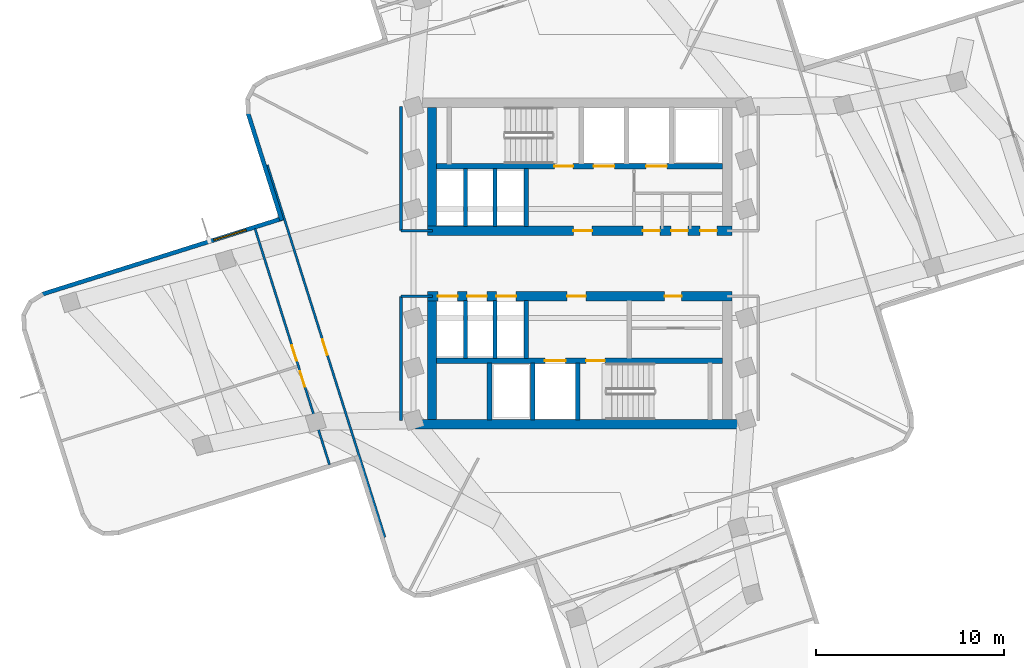
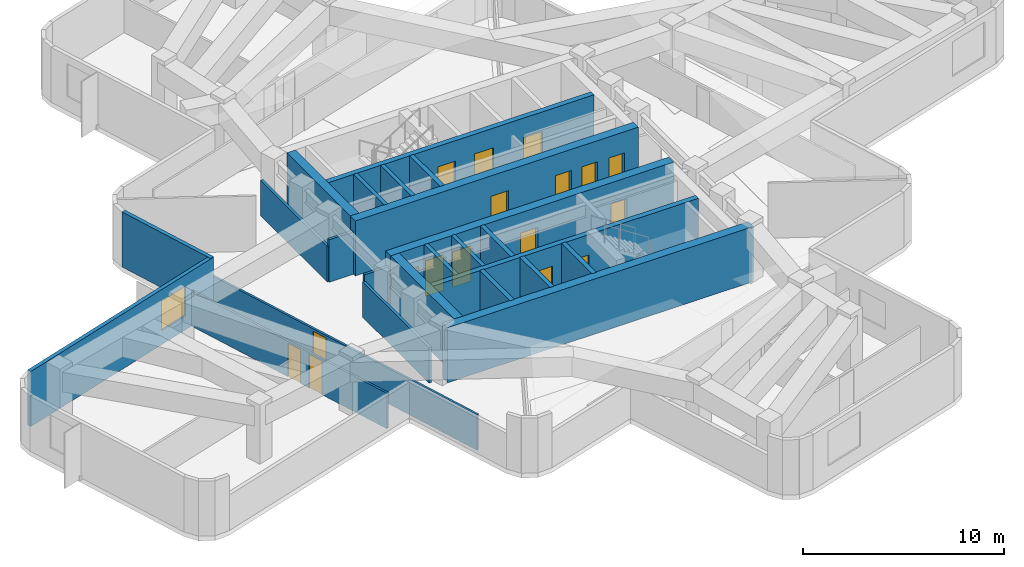
# One storey, part 3 of 8: 24 walls, 17 doors, 1 window, 18 openings.
"""IFC4 building model written with IfcOpenShell, lengths in metres."""

from ifc_helpers import new_model, si_unit, direction, frame, frame_2d, origin, place, context, subcontext, project, spatial, rectangle, extrude, material, layer, layer_set, type_object, element, fill, save


model = new_model("IFC4")

# Units and contexts
model_context = context("Model", 3, precision=1e-05, world=origin(), true_north=direction((0.0, 1.0)))
body_context = subcontext(model_context, "Body", "Model", "MODEL_VIEW")
ifc_project = project(units=[si_unit("LENGTHUNIT", "METRE"), si_unit("AREAUNIT", "SQUARE_METRE"), si_unit("VOLUMEUNIT", "CUBIC_METRE"), si_unit("PLANEANGLEUNIT", "RADIAN"), si_unit("MASSUNIT", "GRAM", prefix="KILO")], contexts=[model_context])

# Site, building, storey
site_placement = place(None, origin())
site = spatial("IfcSite", under=ifc_project, at=site_placement, CompositionType="ELEMENT")
building_placement = place(site_placement, origin())
building = spatial("IfcBuilding", under=site, at=building_placement, Name="Solmarez Civic Tower", CompositionType="ELEMENT")
storey_placement = place(building_placement, frame((0.0, 0.0, 152.280029296875)))
storey = spatial("IfcBuildingStorey", under=building, at=storey_placement, Name="L40", CompositionType="ELEMENT", Elevation=152.280029296875)

# Wall, openings, doors
ifc_material_1 = material(Name="Concrete C60/75", Category="concrete")
ifc_layer_1 = layer(ifc_material_1, 0.5)
ifc_layer_set_1 = layer_set([ifc_layer_1], Name="Concrete C60/75")
wall_type_1 = type_object("IfcWallType", Name="WALL-CORE-500", PredefinedType="SHEAR", material=ifc_layer_set_1)
wall_1_placement = place(storey_placement, frame((8.1201171875, 1.75, 0.0), z_axis=(0.0, 0.0, 1.0), x_axis=(-1.0, 0.0, 0.0)))
wall_1 = element("IfcWall", 1, at=wall_1_placement, inside=storey, type_object=wall_type_1, Name="L40 Split-Core Structural Wall NCW-S-L40", PredefinedType="SHEAR", context=body_context, shape_type="SweptSolid", body=[
    extrude(rectangle(XDim=16.240234375, YDim=0.5, at=frame_2d((8.1201171875, 0.0))), origin(), (0.0, 0.0, 1.0), 3.340087890625),
])
opening_1_placement = place(wall_1_placement, frame((7.449951171875, 0.0, 0.0)))
opening_1 = element("IfcOpeningElement", 2, at=opening_1_placement, cuts=wall_1, Name="Opening D-04", PredefinedType="OPENING", context=body_context, shape_type="SweptSolid", body=[
    extrude(rectangle(XDim=1.0, YDim=2.10009765625, at=frame_2d((0.5, 1.050048828125))), frame((0.0, 0.260009765625, 0.0), z_axis=(0.0, -1.0, 0.0), x_axis=(1.0, 0.0, 0.0)), (0.0, 0.0, 1.0), 0.52001953125),
])
opening_2_placement = place(wall_1_placement, frame((3.85009765625, 0.0, 0.0)))
opening_2 = element("IfcOpeningElement", 3, at=opening_2_placement, cuts=wall_1, Name="Opening D-09", PredefinedType="OPENING", context=body_context, shape_type="SweptSolid", body=[
    extrude(rectangle(XDim=0.89990234375, YDim=2.06005859375, at=frame_2d((0.449951171875, 1.030029296875))), frame((0.0, 0.260009765625, 0.0), z_axis=(0.0, -1.0, 0.0), x_axis=(1.0, 0.0, 0.0)), (0.0, 0.0, 1.0), 0.52001953125),
])
opening_3_placement = place(wall_1_placement, frame((2.35009765625, 0.0, 0.0)))
opening_3 = element("IfcOpeningElement", 4, at=opening_3_placement, cuts=wall_1, Name="Opening D-09", PredefinedType="OPENING", context=body_context, shape_type="SweptSolid", body=[
    extrude(rectangle(XDim=0.89990234375, YDim=2.06005859375, at=frame_2d((0.449951171875, 1.030029296875))), frame((0.0, 0.260009765625, 0.0), z_axis=(0.0, -1.0, 0.0), x_axis=(1.0, 0.0, 0.0)), (0.0, 0.0, 1.0), 0.52001953125),
])
opening_4_placement = place(wall_1_placement, frame((0.800048828125, 0.0, 0.0)))
opening_4 = element("IfcOpeningElement", 5, at=opening_4_placement, cuts=wall_1, Name="Opening D-09", PredefinedType="OPENING", context=body_context, shape_type="SweptSolid", body=[
    extrude(rectangle(XDim=0.89990234375, YDim=2.06005859375, at=frame_2d((0.449951171875, 1.030029296875))), frame((0.0, 0.260009765625, 0.0), z_axis=(0.0, -1.0, 0.0), x_axis=(1.0, 0.0, 0.0)), (0.0, 0.0, 1.0), 0.52001953125),
])
ifc_material_2 = material(Name="Steel-Faced Acoustic Fire Door", Category="steel")
door_type_1 = type_object("IfcDoorType", Name="DOOR-FD60-1000", OperationType="NOTDEFINED", PredefinedType="DOOR", material=ifc_material_2)
door_1_placement = place(opening_1_placement, origin())
door_1 = element("IfcDoor", 6, at=door_1_placement, inside=storey, type_object=door_type_1, Name="L40 North Firefighting Lobby Door", OperationType="SINGLE_SWING_LEFT", OverallHeight=2.10009765625, OverallWidth=1.0, PredefinedType="DOOR", context=body_context, shape_type="SweptSolid", body=[
    extrude(rectangle(XDim=1.0, YDim=2.10009765625, at=frame_2d((0.5, 1.050048828125))), frame((0.0, 0.02490234375, 0.0), z_axis=(0.0, -1.0, 0.0), x_axis=(1.0, 0.0, 0.0)), (0.0, 0.0, 1.0), 0.050048828125),
])
fill(opening_1, door_1)
ifc_material_3 = material(Name="Fire-Rated Service Core Door", Category="wood")
door_type_2 = type_object("IfcDoorType", Name="DOOR-FD60-900", OperationType="NOTDEFINED", PredefinedType="DOOR", material=ifc_material_3)
door_2_placement = place(opening_2_placement, origin())
door_2 = element("IfcDoor", 7, at=door_2_placement, inside=storey, type_object=door_type_2, Name="L40 Core WC Door", OperationType="SINGLE_SWING_RIGHT", OverallHeight=2.06005859375, OverallWidth=0.89990234375, PredefinedType="DOOR", context=body_context, shape_type="SweptSolid", body=[
    extrude(rectangle(XDim=0.89990234375, YDim=2.06005859375, at=frame_2d((0.449951171875, 1.030029296875))), frame((0.0, 0.02490234375, 0.0), z_axis=(0.0, -1.0, 0.0), x_axis=(1.0, 0.0, 0.0)), (0.0, 0.0, 1.0), 0.050048828125),
])
fill(opening_2, door_2)
door_3_placement = place(opening_3_placement, origin())
door_3 = element("IfcDoor", 8, at=door_3_placement, inside=storey, type_object=door_type_2, Name="L40 Core CL Door", OperationType="SINGLE_SWING_LEFT", OverallHeight=2.06005859375, OverallWidth=0.89990234375, PredefinedType="DOOR", context=body_context, shape_type="SweptSolid", body=[
    extrude(rectangle(XDim=0.89990234375, YDim=2.06005859375, at=frame_2d((0.449951171875, 1.030029296875))), frame((0.0, 0.02490234375, 0.0), z_axis=(0.0, -1.0, 0.0), x_axis=(1.0, 0.0, 0.0)), (0.0, 0.0, 1.0), 0.050048828125),
])
fill(opening_3, door_3)
door_4_placement = place(opening_4_placement, origin())
door_4 = element("IfcDoor", 9, at=door_4_placement, inside=storey, type_object=door_type_2, Name="L40 Core IT Door", OperationType="SINGLE_SWING_LEFT", OverallHeight=2.06005859375, OverallWidth=0.89990234375, PredefinedType="DOOR", context=body_context, shape_type="SweptSolid", body=[
    extrude(rectangle(XDim=0.89990234375, YDim=2.06005859375, at=frame_2d((0.449951171875, 1.030029296875))), frame((0.0, 0.02490234375, 0.0), z_axis=(0.0, -1.0, 0.0), x_axis=(1.0, 0.0, 0.0)), (0.0, 0.0, 1.0), 0.050048828125),
])
fill(opening_4, door_4)

# Walls
wall_2_placement = place(storey_placement, frame((-7.8701171875, 2.0, 0.0), z_axis=(0.0, 0.0, 1.0), x_axis=(0.0, 1.0, 0.0)))
element("IfcWall", 10, at=wall_2_placement, inside=storey, type_object=wall_type_1, Name="L40 Split-Core Structural Wall NCW-W-L40", PredefinedType="SHEAR", context=body_context, shape_type="SweptSolid", body=[
    extrude(rectangle(XDim=6.31005859375, YDim=0.5, at=frame_2d((3.155029296875, 0.0))), origin(), (0.0, 0.0, 1.0), 3.340087890625),
])
wall_3_placement = place(storey_placement, frame((8.780029296875, -8.56005859375, 0.0), z_axis=(0.0, 0.0, 1.0), x_axis=(-1.0, 0.0, 0.0)))
element("IfcWall", 11, at=wall_3_placement, inside=storey, type_object=wall_type_1, Name="L40 Split-Core Structural Wall SCW-S-L40", PredefinedType="SHEAR", context=body_context, shape_type="SweptSolid", body=[
    extrude(rectangle(XDim=17.56005859375, YDim=0.5, at=frame_2d((8.780029296875, 0.0))), origin(), (0.0, 0.0, 1.0), 3.340087890625),
])

# Wall, openings, doors
wall_4_placement = place(storey_placement, frame((-8.1201171875, -1.75, 0.0), z_axis=(0.0, 0.0, 1.0), x_axis=(1.0, 0.0, 0.0)))
wall_4 = element("IfcWall", 12, at=wall_4_placement, inside=storey, type_object=wall_type_1, Name="L40 Split-Core Structural Wall SCW-N-L40", PredefinedType="SHEAR", context=body_context, shape_type="SweptSolid", body=[
    extrude(rectangle(XDim=16.240234375, YDim=0.5, at=frame_2d((8.1201171875, 0.0))), origin(), (0.0, 0.0, 1.0), 3.340087890625),
])
opening_5_placement = place(wall_4_placement, frame((7.449951171875, 0.0, 0.0)))
opening_5 = element("IfcOpeningElement", 13, at=opening_5_placement, cuts=wall_4, Name="Opening D-04", PredefinedType="OPENING", context=body_context, shape_type="SweptSolid", body=[
    extrude(rectangle(XDim=1.0, YDim=2.10009765625, at=frame_2d((0.5, 1.050048828125))), frame((0.0, 0.260009765625, 0.0), z_axis=(0.0, -1.0, 0.0), x_axis=(1.0, 0.0, 0.0)), (0.0, 0.0, 1.0), 0.52001953125),
])
opening_6_placement = place(wall_4_placement, frame((12.64990234375, 0.0, 0.0)))
opening_6 = element("IfcOpeningElement", 14, at=opening_6_placement, cuts=wall_4, Name="Opening D-09", PredefinedType="OPENING", context=body_context, shape_type="SweptSolid", body=[
    extrude(rectangle(XDim=0.89990234375, YDim=2.06005859375, at=frame_2d((0.449951171875, 1.030029296875))), frame((0.0, 0.260009765625, 0.0), z_axis=(0.0, -1.0, 0.0), x_axis=(1.0, 0.0, 0.0)), (0.0, 0.0, 1.0), 0.52001953125),
])
opening_7_placement = place(wall_4_placement, frame((0.56494140625, 0.0, 0.0)))
opening_7 = element("IfcOpeningElement", 15, at=opening_7_placement, cuts=wall_4, Name="Opening LD-01", PredefinedType="OPENING", context=body_context, shape_type="SweptSolid", body=[
    extrude(rectangle(XDim=1.050048828125, YDim=2.14990234375, at=frame_2d((0.52490234375, 1.074951171875))), frame((0.0, 0.260009765625, 0.0), z_axis=(0.0, -1.0, 0.0), x_axis=(1.0, 0.0, 0.0)), (0.0, 0.0, 1.0), 0.52001953125),
])
opening_8_placement = place(wall_4_placement, frame((2.125, 0.0, 0.0)))
opening_8 = element("IfcOpeningElement", 16, at=opening_8_placement, cuts=wall_4, Name="Opening LD-01", PredefinedType="OPENING", context=body_context, shape_type="SweptSolid", body=[
    extrude(rectangle(XDim=1.050048828125, YDim=2.14990234375, at=frame_2d((0.52490234375, 1.074951171875))), frame((0.0, 0.260009765625, 0.0), z_axis=(0.0, -1.0, 0.0), x_axis=(1.0, 0.0, 0.0)), (0.0, 0.0, 1.0), 0.52001953125),
])
opening_9_placement = place(wall_4_placement, frame((3.68505859375, 0.0, 0.0)))
opening_9 = element("IfcOpeningElement", 17, at=opening_9_placement, cuts=wall_4, Name="Opening LD-01", PredefinedType="OPENING", context=body_context, shape_type="SweptSolid", body=[
    extrude(rectangle(XDim=1.050048828125, YDim=2.14990234375, at=frame_2d((0.52490234375, 1.074951171875))), frame((0.0, 0.260009765625, 0.0), z_axis=(0.0, -1.0, 0.0), x_axis=(1.0, 0.0, 0.0)), (0.0, 0.0, 1.0), 0.52001953125),
])
door_5_placement = place(opening_5_placement, origin())
door_5 = element("IfcDoor", 18, at=door_5_placement, inside=storey, type_object=door_type_1, Name="L40 South Firefighting Lobby Door", OperationType="SINGLE_SWING_RIGHT", OverallHeight=2.10009765625, OverallWidth=1.0, PredefinedType="DOOR", context=body_context, shape_type="SweptSolid", body=[
    extrude(rectangle(XDim=1.0, YDim=2.10009765625, at=frame_2d((0.5, 1.050048828125))), frame((0.0, 0.02490234375, 0.0), z_axis=(0.0, -1.0, 0.0), x_axis=(1.0, 0.0, 0.0)), (0.0, 0.0, 1.0), 0.050048828125),
])
fill(opening_5, door_5)
door_6_placement = place(opening_6_placement, origin())
door_6 = element("IfcDoor", 19, at=door_6_placement, inside=storey, type_object=door_type_2, Name="L40 Freed Hoistway Mailroom Door", OperationType="SINGLE_SWING_LEFT", OverallHeight=2.06005859375, OverallWidth=0.89990234375, PredefinedType="DOOR", context=body_context, shape_type="SweptSolid", body=[
    extrude(rectangle(XDim=0.89990234375, YDim=2.06005859375, at=frame_2d((0.449951171875, 1.030029296875))), frame((0.0, 0.02490234375, 0.0), z_axis=(0.0, -1.0, 0.0), x_axis=(1.0, 0.0, 0.0)), (0.0, 0.0, 1.0), 0.050048828125),
])
fill(opening_6, door_6)
ifc_material_4 = material(Name="Bronze Passenger Lift Landing Sliding Door", Category="aluminium")
door_type_3 = type_object("IfcDoorType", Name="DOOR-LD-PAX-1050", OperationType="DOUBLE_DOOR_SLIDING", PredefinedType="DOOR", material=ifc_material_4)
door_7_placement = place(opening_7_placement, origin())
door_7 = element("IfcDoor", 20, at=door_7_placement, inside=storey, type_object=door_type_3, Name="L40 Mid-Rise Lift Landing Door PL-M1", OperationType="DOUBLE_DOOR_SLIDING", OverallHeight=2.14990234375, OverallWidth=1.050048828125, PredefinedType="DOOR", context=body_context, shape_type="SweptSolid", body=[
    extrude(rectangle(XDim=1.050048828125, YDim=2.14990234375, at=frame_2d((0.52490234375, 1.074951171875))), frame((0.0, 0.02490234375, 0.0), z_axis=(0.0, -1.0, 0.0), x_axis=(1.0, 0.0, 0.0)), (0.0, 0.0, 1.0), 0.050048828125),
])
fill(opening_7, door_7)
door_8_placement = place(opening_8_placement, origin())
door_8 = element("IfcDoor", 21, at=door_8_placement, inside=storey, type_object=door_type_3, Name="L40 Mid-Rise Lift Landing Door PL-M2", OperationType="DOUBLE_DOOR_SLIDING", OverallHeight=2.14990234375, OverallWidth=1.050048828125, PredefinedType="DOOR", context=body_context, shape_type="SweptSolid", body=[
    extrude(rectangle(XDim=1.050048828125, YDim=2.14990234375, at=frame_2d((0.52490234375, 1.074951171875))), frame((0.0, 0.02490234375, 0.0), z_axis=(0.0, -1.0, 0.0), x_axis=(1.0, 0.0, 0.0)), (0.0, 0.0, 1.0), 0.050048828125),
])
fill(opening_8, door_8)
door_9_placement = place(opening_9_placement, origin())
door_9 = element("IfcDoor", 22, at=door_9_placement, inside=storey, type_object=door_type_3, Name="L40 Mid-Rise Lift Landing Door PL-M3", OperationType="DOUBLE_DOOR_SLIDING", OverallHeight=2.14990234375, OverallWidth=1.050048828125, PredefinedType="DOOR", context=body_context, shape_type="SweptSolid", body=[
    extrude(rectangle(XDim=1.050048828125, YDim=2.14990234375, at=frame_2d((0.52490234375, 1.074951171875))), frame((0.0, 0.02490234375, 0.0), z_axis=(0.0, -1.0, 0.0), x_axis=(1.0, 0.0, 0.0)), (0.0, 0.0, 1.0), 0.050048828125),
])
fill(opening_9, door_9)

# Wall
wall_5_placement = place(storey_placement, frame((-7.8701171875, -8.31005859375, 0.0), z_axis=(0.0, 0.0, 1.0), x_axis=(0.0, 1.0, 0.0)))
element("IfcWall", 23, at=wall_5_placement, inside=storey, type_object=wall_type_1, Name="L40 Split-Core Structural Wall SCW-W-L40", PredefinedType="SHEAR", context=body_context, shape_type="SweptSolid", body=[
    extrude(rectangle(XDim=6.31005859375, YDim=0.5, at=frame_2d((3.155029296875, 0.0))), origin(), (0.0, 0.0, 1.0), 3.340087890625),
])

# Wall, opening, window
ifc_material_5 = material(Name="Precast concrete C40/50", Category="concrete")
ifc_layer_2 = layer(ifc_material_5, 0.219970703125)
ifc_layer_set_2 = layer_set([ifc_layer_2], Name="Precast concrete C40/50")
wall_type_2 = type_object("IfcWallType", Name="WALL-EXT-220", PredefinedType="SOLIDWALL", material=ifc_layer_set_2)
wall_6_placement = place(storey_placement, frame((-28.64599609375, -1.639892578125, 0.0), z_axis=(0.0, 0.0, 1.0), x_axis=(0.953626521982, 0.300992452685, 0.0)))
wall_6 = element("IfcWall", 24, at=wall_6_placement, inside=storey, type_object=wall_type_2, Name="L40 Exterior Precast Wall 10", PredefinedType="SOLIDWALL", context=body_context, shape_type="SweptSolid", body=[
    extrude(rectangle(XDim=13.4580078125, YDim=0.219970703125, at=frame_2d((6.72900390625, 0.0))), origin(), (0.0, 0.0, 1.0), 3.340087890625),
])
opening_10_placement = place(wall_6_placement, frame((9.596923828125, 0.0, 0.85009765625)))
opening_10 = element("IfcOpeningElement", 25, at=opening_10_placement, cuts=wall_6, Name="Opening W-08", PredefinedType="OPENING", context=body_context, shape_type="SweptSolid", body=[
    extrude(rectangle(XDim=1.800048828125, YDim=1.800048828125, at=frame_2d((0.89990234375, 0.89990234375))), frame((0.0, 0.119873046875, 0.0), z_axis=(0.0, -1.0, 0.0), x_axis=(1.0, 0.0, 0.0)), (0.0, 0.0, 1.0), 0.239990234375),
])
ifc_material_6 = material(Name="Solar Control Bronze-Tinted Insulating Glass", Category="glass")
window_type = type_object("IfcWindowType", Name="WIN-1800X1800", PartitioningType="SINGLE_PANEL", PredefinedType="WINDOW", material=ifc_material_6)
window_placement = place(opening_10_placement, origin())
window = element("IfcWindow", 26, at=window_placement, inside=storey, type_object=window_type, Name="L40 Exterior Facade Window 10", OverallHeight=1.800048828125, OverallWidth=1.800048828125, PartitioningType="SINGLE_PANEL", PredefinedType="WINDOW", context=body_context, shape_type="SweptSolid", body=[
    extrude(rectangle(XDim=1.800048828125, YDim=1.800048828125, at=frame_2d((0.89990234375, 0.89990234375))), frame((0.0, 0.030029296875, 0.0), z_axis=(0.0, -1.0, 0.0), x_axis=(1.0, 0.0, 0.0)), (0.0, 0.0, 1.0), 0.06005859375),
])
fill(opening_10, window)

# Walls
wall_7_placement = place(storey_placement, frame((-15.8701171875, 2.301025390625, 0.0), z_axis=(0.0, 0.0, 1.0), x_axis=(-0.300910882413, 0.953652264112, 0.0)))
element("IfcWall", 27, at=wall_7_placement, inside=storey, type_object=wall_type_2, Name="L40 Exterior Precast Wall 13", PredefinedType="SOLIDWALL", context=body_context, shape_type="SweptSolid", body=[
    extrude(rectangle(XDim=5.988525390625, YDim=0.219970703125, at=frame_2d((2.994140625, 0.0))), origin(), (0.0, 0.0, 1.0), 3.340087890625),
])
ifc_material_7 = material(Name="Gypsum Board Acoustic Steel-Stud Partition", Category="steel")
ifc_layer_3 = layer(ifc_material_7, 0.14990234375)
ifc_layer_set_3 = layer_set([ifc_layer_3], Name="Gypsum Board Acoustic Steel-Stud Partition")
wall_type_3 = type_object("IfcWallType", Name="WALL-INT-FIRE-150", PredefinedType="PARTITIONING", material=ifc_layer_set_3)
wall_8_placement = place(storey_placement, frame((-9.52001953125, 1.75, 0.0), z_axis=(0.0, 0.0, 1.0), x_axis=(0.0, 1.0, 0.0)))
element("IfcWall", 28, at=wall_8_placement, inside=storey, type_object=wall_type_3, Name="L40 Interior Partition CHW-L40-WN1", PredefinedType="PARTITIONING", context=body_context, shape_type="SweptSolid", body=[
    extrude(rectangle(XDim=6.6298828125, YDim=0.14990234375, at=frame_2d((3.31494140625, 0.0))), origin(), (0.0, 0.0, 1.0), 2.15185546875),
])
wall_9_placement = place(storey_placement, frame((-7.85009765625, 1.75, 0.0), z_axis=(0.0, 0.0, 1.0), x_axis=(-1.0, 0.0, 0.0)))
element("IfcWall", 29, at=wall_9_placement, inside=storey, type_object=wall_type_3, Name="L40 Interior Partition CHW-L40-WN3", PredefinedType="PARTITIONING", context=body_context, shape_type="SweptSolid", body=[
    extrude(rectangle(XDim=1.669921875, YDim=0.14990234375, at=frame_2d((0.8349609375, 0.0))), origin(), (0.0, 0.0, 1.0), 2.570068359375),
])
wall_10_placement = place(storey_placement, frame((-9.52001953125, -8.3798828125, 0.0), z_axis=(0.0, 0.0, 1.0), x_axis=(0.0, 1.0, 0.0)))
element("IfcWall", 30, at=wall_10_placement, inside=storey, type_object=wall_type_3, Name="L40 Interior Partition CHW-L40-WS1", PredefinedType="PARTITIONING", context=body_context, shape_type="SweptSolid", body=[
    extrude(rectangle(XDim=6.6298828125, YDim=0.14990234375, at=frame_2d((3.31494140625, 0.0))), origin(), (0.0, 0.0, 1.0), 2.15185546875),
])
wall_11_placement = place(storey_placement, frame((-7.85009765625, -1.75, 0.0), z_axis=(0.0, 0.0, 1.0), x_axis=(-1.0, 0.0, 0.0)))
element("IfcWall", 31, at=wall_11_placement, inside=storey, type_object=wall_type_3, Name="L40 Interior Partition CHW-L40-WS3", PredefinedType="PARTITIONING", context=body_context, shape_type="SweptSolid", body=[
    extrude(rectangle(XDim=1.669921875, YDim=0.14990234375, at=frame_2d((0.8349609375, 0.0))), origin(), (0.0, 0.0, 1.0), 2.570068359375),
])

# Wall, opening, door
ifc_layer_4 = layer(ifc_material_7, 0.1201171875)
ifc_layer_set_4 = layer_set([ifc_layer_4], Name="Gypsum Board Acoustic Steel-Stud Partition")
wall_type_4 = type_object("IfcWallType", Name="WALL-INT-PART-120", PredefinedType="PARTITIONING", material=ifc_layer_set_4)
wall_12_placement = place(storey_placement, frame((-10.37890625, -14.591064453125, 0.0), z_axis=(0.0, 0.0, 1.0), x_axis=(-0.301070726534, 0.95360181293, 0.0)))
wall_12 = element("IfcWall", 32, at=wall_12_placement, inside=storey, type_object=wall_type_4, Name="L40 Interior Partition PT-L40-W-ENT", PredefinedType="PARTITIONING", context=body_context, shape_type="SweptSolid", body=[
    extrude(rectangle(XDim=20.8095703125, YDim=0.1201171875, at=frame_2d((10.40478515625, 0.0))), origin(), (0.0, 0.0, 1.0), 2.15185546875),
])
opening_11_placement = place(wall_12_placement, frame((10.18896484375, 0.0, 0.0)))
opening_11 = element("IfcOpeningElement", 33, at=opening_11_placement, cuts=wall_12, Name="Opening D-19", PredefinedType="OPENING", context=body_context, shape_type="SweptSolid", body=[
    extrude(rectangle(XDim=0.860107421875, YDim=2.0, at=frame_2d((0.43017578125, 1.0))), frame((0.0, 0.070068359375, 0.0), z_axis=(0.0, -1.0, 0.0), x_axis=(1.0, 0.0, 0.0)), (0.0, 0.0, 1.0), 0.14013671875),
])
ifc_material_8 = material(Name="Timber Low-Headroom Storage and Pantry Door", Category="wood")
door_type_4 = type_object("IfcDoorType", Name="DOOR-INT-850-2000", OperationType="NOTDEFINED", PredefinedType="DOOR", material=ifc_material_8)
door_10_placement = place(opening_11_placement, origin())
door_10 = element("IfcDoor", 34, at=door_10_placement, inside=storey, type_object=door_type_4, Name="L40 Delegates Sitting Lounge First West Door", OperationType="SINGLE_SWING_LEFT", OverallHeight=2.0, OverallWidth=0.860107421875, PredefinedType="DOOR", context=body_context, shape_type="SweptSolid", body=[
    extrude(rectangle(XDim=0.860107421875, YDim=2.0, at=frame_2d((0.43017578125, 1.0))), frame((0.0, 0.02490234375, 0.0), z_axis=(0.0, -1.0, 0.0), x_axis=(1.0, 0.0, 0.0)), (0.0, 0.0, 1.0), 0.050048828125),
])
fill(opening_11, door_10)

# Wall, openings, doors
wall_13_placement = place(storey_placement, frame((-17.302978515625, 1.863037109375, 0.0), z_axis=(0.0, 0.0, 1.0), x_axis=(0.300972919735, -0.953632686933, 0.0)))
wall_13 = element("IfcWall", 35, at=wall_13_placement, inside=storey, type_object=wall_type_4, Name="L40 Interior Partition PT-L40-W-SCUT", PredefinedType="PARTITIONING", context=body_context, shape_type="SweptSolid", body=[
    extrude(rectangle(XDim=13.2001953125, YDim=0.1201171875, at=frame_2d((6.60009765625, 0.0))), origin(), (0.0, 0.0, 1.0), 2.15185546875),
])
opening_12_placement = place(wall_13_placement, frame((6.533935546875, 0.0, 0.0)))
opening_12 = element("IfcOpeningElement", 36, at=opening_12_placement, cuts=wall_13, Name="Opening D-14", PredefinedType="OPENING", context=body_context, shape_type="SweptSolid", body=[
    extrude(rectangle(XDim=0.860107421875, YDim=2.0400390625, at=frame_2d((0.43017578125, 1.02001953125))), frame((0.0, 0.070068359375, 0.0), z_axis=(0.0, -1.0, 0.0), x_axis=(1.0, 0.0, 0.0)), (0.0, 0.0, 1.0), 0.14013671875),
])
opening_13_placement = place(wall_13_placement, frame((7.97509765625, 0.0, 0.0)))
opening_13 = element("IfcOpeningElement", 37, at=opening_13_placement, cuts=wall_13, Name="Opening D-14", PredefinedType="OPENING", context=body_context, shape_type="SweptSolid", body=[
    extrude(rectangle(XDim=0.860107421875, YDim=2.0400390625, at=frame_2d((0.43017578125, 1.02001953125))), frame((0.0, 0.070068359375, 0.0), z_axis=(0.0, -1.0, 0.0), x_axis=(1.0, 0.0, 0.0)), (0.0, 0.0, 1.0), 0.14013671875),
])
ifc_material_9 = material(Name="Timber Storage and Pantry Door", Category="wood")
door_type_5 = type_object("IfcDoorType", Name="DOOR-INT-850", OperationType="NOTDEFINED", PredefinedType="DOOR", material=ifc_material_9)
door_11_placement = place(opening_12_placement, origin())
door_11 = element("IfcDoor", 38, at=door_11_placement, inside=storey, type_object=door_type_5, Name="L40 Catering Servery Third West Door", OperationType="SINGLE_SWING_RIGHT", OverallHeight=2.0400390625, OverallWidth=0.860107421875, PredefinedType="DOOR", context=body_context, shape_type="SweptSolid", body=[
    extrude(rectangle(XDim=0.860107421875, YDim=2.0400390625, at=frame_2d((0.43017578125, 1.02001953125))), frame((0.0, 0.02490234375, 0.0), z_axis=(0.0, -1.0, 0.0), x_axis=(1.0, 0.0, 0.0)), (0.0, 0.0, 1.0), 0.050048828125),
])
fill(opening_12, door_11)
door_12_placement = place(opening_13_placement, origin())
door_12 = element("IfcDoor", 39, at=door_12_placement, inside=storey, type_object=door_type_5, Name="L40 Staff Dining Canteen Second West Door", OperationType="SINGLE_SWING_LEFT", OverallHeight=2.0400390625, OverallWidth=0.860107421875, PredefinedType="DOOR", context=body_context, shape_type="SweptSolid", body=[
    extrude(rectangle(XDim=0.860107421875, YDim=2.0400390625, at=frame_2d((0.43017578125, 1.02001953125))), frame((0.0, 0.02490234375, 0.0), z_axis=(0.0, -1.0, 0.0), x_axis=(1.0, 0.0, 0.0)), (0.0, 0.0, 1.0), 0.050048828125),
])
fill(opening_13, door_12)

ifc_material_10 = material(Name="Concrete C50/60", Category="concrete")
ifc_layer_5 = layer(ifc_material_10, 0.300048828125)
ifc_layer_set_5 = layer_set([ifc_layer_5], Name="Concrete C50/60")
wall_type_5 = type_object("IfcWallType", Name="WALL-STR-300", PredefinedType="SOLIDWALL", material=ifc_layer_set_5)
wall_14_placement = place(storey_placement, frame((7.6201171875, 5.179931640625, 0.0), z_axis=(0.0, 0.0, 1.0), x_axis=(-1.0, 0.0, 0.0)))
wall_14 = element("IfcWall", 40, at=wall_14_placement, inside=storey, type_object=wall_type_5, Name="L40 Split-Core Structural Wall NCW-M-L40", PredefinedType="SOLIDWALL", context=body_context, shape_type="SweptSolid", body=[
    extrude(rectangle(XDim=15.240234375, YDim=0.300048828125, at=frame_2d((7.6201171875, 0.0))), origin(), (0.0, 0.0, 1.0), 3.340087890625),
])
opening_14_placement = place(wall_14_placement, frame((5.77001953125, 0.0, 0.0)))
opening_14 = element("IfcOpeningElement", 41, at=opening_14_placement, cuts=wall_14, Name="Opening LD-02", PredefinedType="OPENING", context=body_context, shape_type="SweptSolid", body=[
    extrude(rectangle(XDim=1.10009765625, YDim=2.14990234375, at=frame_2d((0.550048828125, 1.074951171875))), frame((0.0, 0.159912109375, 0.0), z_axis=(0.0, -1.0, 0.0), x_axis=(1.0, 0.0, 0.0)), (0.0, 0.0, 1.0), 0.320068359375),
])
opening_15_placement = place(wall_14_placement, frame((2.969970703125, 0.0, 0.0)))
opening_15 = element("IfcOpeningElement", 42, at=opening_15_placement, cuts=wall_14, Name="Opening LD-03", PredefinedType="OPENING", context=body_context, shape_type="SweptSolid", body=[
    extrude(rectangle(XDim=1.10009765625, YDim=2.14990234375, at=frame_2d((0.550048828125, 1.074951171875))), frame((0.0, 0.159912109375, 0.0), z_axis=(0.0, -1.0, 0.0), x_axis=(1.0, 0.0, 0.0)), (0.0, 0.0, 1.0), 0.320068359375),
])
opening_16_placement = place(wall_14_placement, frame((7.969970703125, 0.0, 0.0)))
opening_16 = element("IfcOpeningElement", 43, at=opening_16_placement, cuts=wall_14, Name="Opening D-05", PredefinedType="OPENING", context=body_context, shape_type="SweptSolid", body=[
    extrude(rectangle(XDim=1.0, YDim=2.10009765625, at=frame_2d((0.5, 1.050048828125))), frame((0.0, 0.159912109375, 0.0), z_axis=(0.0, -1.0, 0.0), x_axis=(1.0, 0.0, 0.0)), (0.0, 0.0, 1.0), 0.320068359375),
])
ifc_material_11 = material(Name="Fire-Rated Stairwell Exit Door", Category="wood")
door_type_6 = type_object("IfcDoorType", Name="DOOR-FD90-1000", OperationType="NOTDEFINED", PredefinedType="DOOR", material=ifc_material_11)
door_13_placement = place(opening_16_placement, origin())
door_13 = element("IfcDoor", 44, at=door_13_placement, inside=storey, type_object=door_type_6, Name="L40 North Exit Stair Door ST-1", OperationType="SINGLE_SWING_LEFT", OverallHeight=2.10009765625, OverallWidth=1.0, PredefinedType="DOOR", context=body_context, shape_type="SweptSolid", body=[
    extrude(rectangle(XDim=1.0, YDim=2.10009765625, at=frame_2d((0.5, 1.050048828125))), frame((0.0, 0.02490234375, 0.0), z_axis=(0.0, -1.0, 0.0), x_axis=(1.0, 0.0, 0.0)), (0.0, 0.0, 1.0), 0.050048828125),
])
fill(opening_16, door_13)
ifc_material_12 = material(Name="Stainless Firefighting Lift Landing Sliding Door", Category="aluminium")
door_type_7 = type_object("IfcDoorType", Name="DOOR-LD-FF-1100", OperationType="DOUBLE_DOOR_SLIDING", PredefinedType="DOOR", material=ifc_material_12)
door_14_placement = place(opening_14_placement, origin())
door_14 = element("IfcDoor", 45, at=door_14_placement, inside=storey, type_object=door_type_7, Name="L40 Firefighting Lift Landing Door FFL-1", OperationType="DOUBLE_DOOR_SLIDING", OverallHeight=2.14990234375, OverallWidth=1.10009765625, PredefinedType="DOOR", context=body_context, shape_type="SweptSolid", body=[
    extrude(rectangle(XDim=1.10009765625, YDim=2.14990234375, at=frame_2d((0.550048828125, 1.074951171875))), frame((0.0, 0.02490234375, 0.0), z_axis=(0.0, -1.0, 0.0), x_axis=(1.0, 0.0, 0.0)), (0.0, 0.0, 1.0), 0.050048828125),
])
fill(opening_14, door_14)
ifc_material_13 = material(Name="Stainless Stretcher Lift Landing Sliding Door", Category="aluminium")
door_type_8 = type_object("IfcDoorType", Name="DOOR-LD-SV-1100", OperationType="DOUBLE_DOOR_SLIDING", PredefinedType="DOOR", material=ifc_material_13)
door_15_placement = place(opening_15_placement, origin())
door_15 = element("IfcDoor", 46, at=door_15_placement, inside=storey, type_object=door_type_8, Name="L40 Service Stretcher Lift Landing Door SVL-1", OperationType="DOUBLE_DOOR_SLIDING", OverallHeight=2.14990234375, OverallWidth=1.10009765625, PredefinedType="DOOR", context=body_context, shape_type="SweptSolid", body=[
    extrude(rectangle(XDim=1.10009765625, YDim=2.14990234375, at=frame_2d((0.550048828125, 1.074951171875))), frame((0.0, 0.02490234375, 0.0), z_axis=(0.0, -1.0, 0.0), x_axis=(1.0, 0.0, 0.0)), (0.0, 0.0, 1.0), 0.050048828125),
])
fill(opening_15, door_15)

wall_15_placement = place(storey_placement, frame((-7.6201171875, -5.179931640625, 0.0), z_axis=(0.0, 0.0, 1.0), x_axis=(1.0, 0.0, 0.0)))
wall_15 = element("IfcWall", 47, at=wall_15_placement, inside=storey, type_object=wall_type_5, Name="L40 Split-Core Structural Wall SCW-M-L40", PredefinedType="SOLIDWALL", context=body_context, shape_type="SweptSolid", body=[
    extrude(rectangle(XDim=15.240234375, YDim=0.300048828125, at=frame_2d((7.6201171875, 0.0))), origin(), (0.0, 0.0, 1.0), 3.340087890625),
])
opening_17_placement = place(wall_15_placement, frame((5.77001953125, 0.0, 0.0)))
opening_17 = element("IfcOpeningElement", 48, at=opening_17_placement, cuts=wall_15, Name="Opening LD-02", PredefinedType="OPENING", context=body_context, shape_type="SweptSolid", body=[
    extrude(rectangle(XDim=1.10009765625, YDim=2.14990234375, at=frame_2d((0.550048828125, 1.074951171875))), frame((0.0, 0.159912109375, 0.0), z_axis=(0.0, -1.0, 0.0), x_axis=(1.0, 0.0, 0.0)), (0.0, 0.0, 1.0), 0.320068359375),
])
opening_18_placement = place(wall_15_placement, frame((7.969970703125, 0.0, 0.0)))
opening_18 = element("IfcOpeningElement", 49, at=opening_18_placement, cuts=wall_15, Name="Opening D-05", PredefinedType="OPENING", context=body_context, shape_type="SweptSolid", body=[
    extrude(rectangle(XDim=1.0, YDim=2.10009765625, at=frame_2d((0.5, 1.050048828125))), frame((0.0, 0.159912109375, 0.0), z_axis=(0.0, -1.0, 0.0), x_axis=(1.0, 0.0, 0.0)), (0.0, 0.0, 1.0), 0.320068359375),
])
door_16_placement = place(opening_18_placement, origin())
door_16 = element("IfcDoor", 50, at=door_16_placement, inside=storey, type_object=door_type_6, Name="L40 South Exit Stair Door ST-2", OperationType="SINGLE_SWING_RIGHT", OverallHeight=2.10009765625, OverallWidth=1.0, PredefinedType="DOOR", context=body_context, shape_type="SweptSolid", body=[
    extrude(rectangle(XDim=1.0, YDim=2.10009765625, at=frame_2d((0.5, 1.050048828125))), frame((0.0, 0.02490234375, 0.0), z_axis=(0.0, -1.0, 0.0), x_axis=(1.0, 0.0, 0.0)), (0.0, 0.0, 1.0), 0.050048828125),
])
fill(opening_18, door_16)
door_17_placement = place(opening_17_placement, origin())
door_17 = element("IfcDoor", 51, at=door_17_placement, inside=storey, type_object=door_type_7, Name="L40 Firefighting Lift Landing Door FFL-2", OperationType="DOUBLE_DOOR_SLIDING", OverallHeight=2.14990234375, OverallWidth=1.10009765625, PredefinedType="DOOR", context=body_context, shape_type="SweptSolid", body=[
    extrude(rectangle(XDim=1.10009765625, YDim=2.14990234375, at=frame_2d((0.550048828125, 1.074951171875))), frame((0.0, 0.02490234375, 0.0), z_axis=(0.0, -1.0, 0.0), x_axis=(1.0, 0.0, 0.0)), (0.0, 0.0, 1.0), 0.050048828125),
])
fill(opening_17, door_17)

# Walls
wall_16_placement = place(storey_placement, frame((-2.85009765625, 1.97998046875, 0.0), z_axis=(0.0, 0.0, 1.0), x_axis=(0.0, 1.0, 0.0)))
element("IfcWall", 52, at=wall_16_placement, inside=storey, type_object=wall_type_5, Name="L40 Split-Core Structural Wall SHW-NL1-L40", PredefinedType="SOLIDWALL", context=body_context, shape_type="SweptSolid", body=[
    extrude(rectangle(XDim=3.070068359375, YDim=0.25, at=frame_2d((1.53515625, 0.0))), origin(), (0.0, 0.0, 1.0), 3.340087890625),
])
for number, where, z_axis, x_axis, name in (
    (53, (-0.10009765625, -8.340087890625, 0.0), (0.0, 0.0, 1.0), (0.0, 1.0, 0.0), "L40 Split-Core Structural Wall SHW-S1-L40"),
    (54, (-2.5, -8.340087890625, 0.0), (0.0, 0.0, 1.0), (0.0, 1.0, 0.0), "L40 Split-Core Structural Wall SHW-S2-L40"),
    (55, (-4.800048828125, -8.340087890625, 0.0), (0.0, 0.0, 1.0), (0.0, 1.0, 0.0), "L40 Split-Core Structural Wall SHW-S3-L40"),
):
    element("IfcWall", number, at=place(storey_placement, frame(where, z_axis=z_axis, x_axis=x_axis)), inside=storey, type_object=wall_type_5, Name=name, PredefinedType="SOLIDWALL", context=body_context, shape_type="SweptSolid", body=[
        extrude(rectangle(XDim=3.0400390625, YDim=0.25, at=frame_2d((1.52001953125, 0.0))), origin(), (0.0, 0.0, 1.0), 3.340087890625),
    ])
wall_17_placement = place(storey_placement, frame((-2.85009765625, -5.050048828125, 0.0), z_axis=(0.0, 0.0, 1.0), x_axis=(0.0, 1.0, 0.0)))
element("IfcWall", 56, at=wall_17_placement, inside=storey, type_object=wall_type_5, Name="L40 Split-Core Structural Wall SHW-SL1-L40", PredefinedType="SOLIDWALL", context=body_context, shape_type="SweptSolid", body=[
    extrude(rectangle(XDim=3.070068359375, YDim=0.25, at=frame_2d((1.53515625, 0.0))), origin(), (0.0, 0.0, 1.0), 3.340087890625),
])
for number, where, z_axis, x_axis, name in (
    (57, (-6.080078125, 1.97998046875, 0.0), (0.0, 0.0, 1.0), (0.0, 1.0, 0.0), "L40 Split-Core Structural Wall SHW-PLH-L40-1"),
    (58, (-4.52001953125, 1.97998046875, 0.0), (0.0, 0.0, 1.0), (0.0, 1.0, 0.0), "L40 Split-Core Structural Wall SHW-PLH-L40-2"),
    (59, (-6.080078125, -5.050048828125, 0.0), (0.0, 0.0, 1.0), (0.0, 1.0, 0.0), "L40 Split-Core Structural Wall SHW-PLM-L40-1"),
    (60, (-4.52001953125, -5.050048828125, 0.0), (0.0, 0.0, 1.0), (0.0, 1.0, 0.0), "L40 Split-Core Structural Wall SHW-PLM-L40-2"),
):
    element("IfcWall", number, at=place(storey_placement, frame(where, z_axis=z_axis, x_axis=x_axis)), inside=storey, type_object=wall_type_5, Name=name, PredefinedType="SOLIDWALL", context=body_context, shape_type="SweptSolid", body=[
        extrude(rectangle(XDim=3.070068359375, YDim=0.219970703125, at=frame_2d((1.53515625, 0.0))), origin(), (0.0, 0.0, 1.0), 3.340087890625),
    ])

save(model, "model.ifc")
